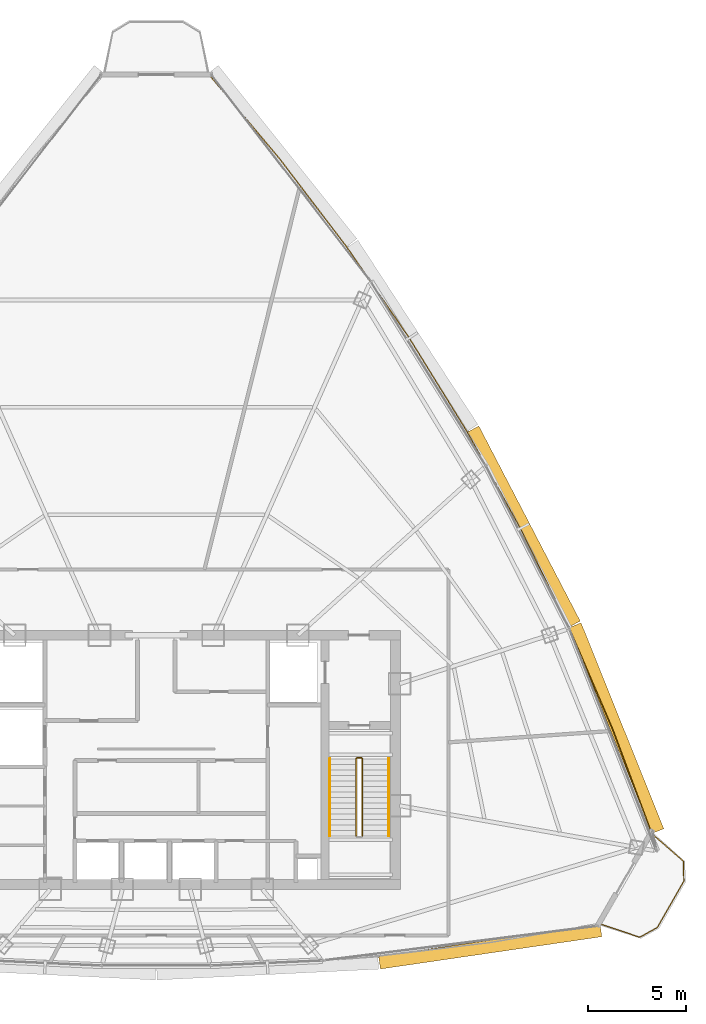
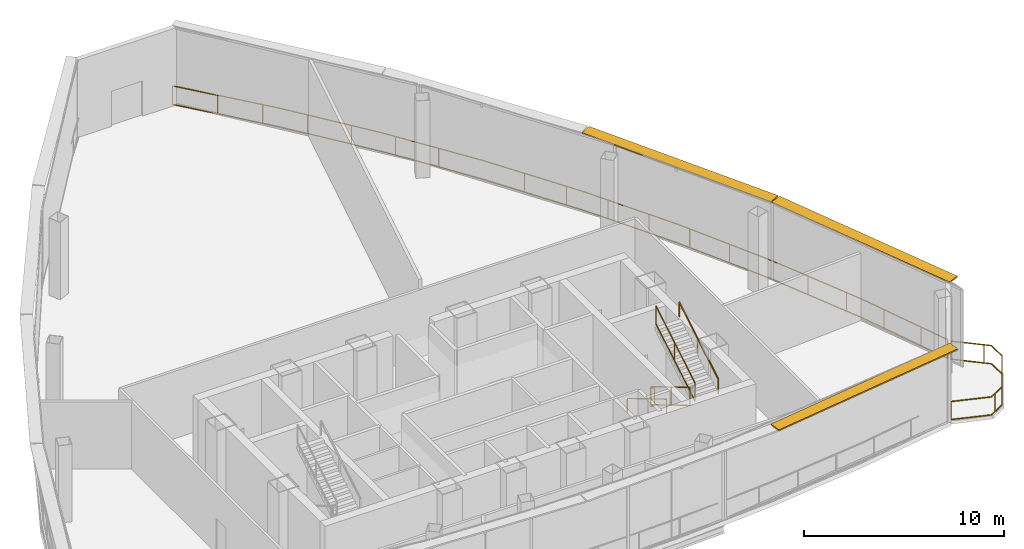
# One storey, part 28 of 29: 7 railings, 3 shading devices.
"""IFC4 building model written with IfcOpenShell, lengths in metres."""

from ifc_helpers import new_model, si_unit, direction, frame, origin, origin_2d, place, context, subcontext, project, spatial, rectangle, extrude, source, transform, mapped, material, layer, layer_set, type_object, element, save


model = new_model("IFC4")

# Units and contexts
model_context = context("Model", 3, precision=1e-05, world=origin(), true_north=direction((0.0, 1.0)))
body_context = subcontext(model_context, "Body", "Model", "MODEL_VIEW")
ifc_project = project(units=[si_unit("LENGTHUNIT", "METRE"), si_unit("AREAUNIT", "SQUARE_METRE"), si_unit("VOLUMEUNIT", "CUBIC_METRE"), si_unit("PLANEANGLEUNIT", "RADIAN"), si_unit("MASSUNIT", "GRAM", prefix="KILO"), si_unit("THERMODYNAMICTEMPERATUREUNIT", "KELVIN"), si_unit("POWERUNIT", "WATT")], contexts=[model_context])

# Site, building, storey
site_placement = place(None, origin())
site = spatial("IfcSite", under=ifc_project, at=site_placement, CompositionType="ELEMENT")
building_placement = place(site_placement, origin())
building = spatial("IfcBuilding", under=site, at=building_placement, Name="Yunzhuo Pagoda Commons", CompositionType="ELEMENT")
storey_placement = place(building_placement, frame((0.0, 0.0, 366.760009765625)))
storey = spatial("IfcBuildingStorey", under=building, at=storey_placement, Name="L92", CompositionType="ELEMENT", Elevation=366.760009765625)

# Railings
ifc_material = material(Name="Anodized aluminium 6063-T6", Category="aluminium")
railing_type_1 = type_object("IfcRailingType", Name="GR-ST2 Stair Well Guardrail 1160", PredefinedType="GUARDRAIL", material=ifc_material)
railing_1_placement = place(storey_placement, frame((58.199951171875, 33.89990234375, 0.166748046875)))
element("IfcRailing", 1, at=railing_1_placement, inside=storey, type_object=railing_type_1, Name="L92 ST2 stair guard 1", PredefinedType="GUARDRAIL", context=body_context, shape_type="SweptSolid", body=[
    extrude(rectangle(XDim=0.048095703125, YDim=0.048095703125, at=origin_2d()), frame((0.0, 0.0, 1.1259765625), z_axis=(0.0, -0.859296244711, 0.511478214419), x_axis=(1.0, 0.0, 0.0)), (0.0, 0.0, 1.0), 4.561767578125),
    extrude(rectangle(XDim=0.048095703125, YDim=0.048095703125, at=origin_2d()), frame((0.0, 0.0, 0.02392578125), z_axis=(0.0, -0.859296244711, 0.511478214419), x_axis=(1.0, 0.0, 0.0)), (0.0, 0.0, 1.0), 4.561767578125),
    extrude(rectangle(XDim=0.0419921875, YDim=0.0419921875, at=origin_2d()), origin(), (0.0, 0.0, 1.0), 1.101806640625),
    extrude(rectangle(XDim=0.0419921875, YDim=0.0419921875, at=origin_2d()), frame((0.0, -2.062255859375, 1.2275390625)), (0.0, 0.0, 1.0), 1.101806640625),
    extrude(rectangle(XDim=0.0419921875, YDim=0.0419921875, at=origin_2d()), frame((0.0, -3.919921875, 2.333251953125)), (0.0, 0.0, 1.0), 1.101806640625),
])
railing_2_placement = place(storey_placement, frame((58.5, 29.97998046875, 2.666748046875)))
element("IfcRailing", 2, at=railing_2_placement, inside=storey, type_object=railing_type_1, Name="L92 ST2 stair guard 3", PredefinedType="GUARDRAIL", context=body_context, shape_type="SweptSolid", body=[
    extrude(rectangle(XDim=0.048095703125, YDim=0.048095703125, at=origin_2d()), frame((0.0, 0.0, 1.1259765625), z_axis=(0.0, 0.859296244711, 0.511478214419), x_axis=(-1.0, 0.0, 0.0)), (0.0, 0.0, 1.0), 4.561767578125),
    extrude(rectangle(XDim=0.048095703125, YDim=0.048095703125, at=origin_2d()), frame((0.0, 0.0, 0.02392578125), z_axis=(0.0, 0.859296244711, 0.511478214419), x_axis=(-1.0, 0.0, 0.0)), (0.0, 0.0, 1.0), 4.561767578125),
    extrude(rectangle(XDim=0.0419921875, YDim=0.0419921875, at=origin_2d()), origin(), (0.0, 0.0, 1.0), 1.101806640625),
    extrude(rectangle(XDim=0.0419921875, YDim=0.0419921875, at=origin_2d()), frame((0.0, 2.062255859375, 1.2275390625)), (0.0, 0.0, 1.0), 1.101806640625),
    extrude(rectangle(XDim=0.0419921875, YDim=0.0419921875, at=origin_2d()), frame((0.0, 3.919921875, 2.333251953125)), (0.0, 0.0, 1.0), 1.101806640625),
])
railing_3_placement = place(storey_placement, frame((58.25, 33.949951171875, 0.0)))
element("IfcRailing", 3, at=railing_3_placement, inside=storey, type_object=railing_type_1, Name="L92 ST2 stair guard 4", PredefinedType="GUARDRAIL", context=body_context, shape_type="SweptSolid", body=[
    extrude(rectangle(XDim=0.048095703125, YDim=0.048095703125, at=origin_2d()), frame((0.0, 0.0, 1.1259765625), z_axis=(1.0, 0.0, 0.0), x_axis=(0.0, 1.0, 0.0)), (0.0, 0.0, 1.0), 0.199951171875),
    extrude(rectangle(XDim=0.048095703125, YDim=0.048095703125, at=origin_2d()), frame((0.0, 0.0, 0.02392578125), z_axis=(1.0, 0.0, 0.0), x_axis=(0.0, 1.0, 0.0)), (0.0, 0.0, 1.0), 0.199951171875),
    extrude(rectangle(XDim=0.0419921875, YDim=0.0419921875, at=origin_2d()), origin(), (0.0, 0.0, 1.0), 1.101806640625),
    extrude(rectangle(XDim=0.0419921875, YDim=0.0419921875, at=origin_2d()), frame((0.199951171875, 0.0, 0.0)), (0.0, 0.0, 1.0), 1.101806640625),
])
railing_type_2 = type_object("IfcRailingType", Name="HR-ST2 Stair Handrail 900", PredefinedType="HANDRAIL", material=ifc_material)
railing_4_placement = place(storey_placement, frame((56.85009765625, 33.89990234375, 0.166748046875)))
element("IfcRailing", 4, at=railing_4_placement, inside=storey, type_object=railing_type_2, Name="L92 ST2 stair handrail 1", PredefinedType="HANDRAIL", context=body_context, shape_type="SweptSolid", body=[
    extrude(rectangle(XDim=0.048095703125, YDim=0.048095703125, at=origin_2d()), frame((0.0, 0.0, 0.8759765625), z_axis=(0.0, -0.859296244711, 0.511478214419), x_axis=(1.0, 0.0, 0.0)), (0.0, 0.0, 1.0), 4.561767578125),
    extrude(rectangle(XDim=0.0419921875, YDim=0.0419921875, at=origin_2d()), origin(), (0.0, 0.0, 1.0), 0.851806640625),
    extrude(rectangle(XDim=0.0419921875, YDim=0.0419921875, at=origin_2d()), frame((0.0, -2.062255859375, 1.2275390625)), (0.0, 0.0, 1.0), 0.851806640625),
    extrude(rectangle(XDim=0.0419921875, YDim=0.0419921875, at=origin_2d()), frame((0.0, -3.919921875, 2.333251953125)), (0.0, 0.0, 1.0), 0.851806640625),
])
railing_5_placement = place(storey_placement, frame((59.85009765625, 29.97998046875, 2.666748046875)))
element("IfcRailing", 5, at=railing_5_placement, inside=storey, type_object=railing_type_2, Name="L92 ST2 stair handrail 2", PredefinedType="HANDRAIL", context=body_context, shape_type="SweptSolid", body=[
    extrude(rectangle(XDim=0.048095703125, YDim=0.048095703125, at=origin_2d()), frame((0.0, 0.0, 0.8759765625), z_axis=(0.0, 0.859296244711, 0.511478214419), x_axis=(-1.0, 0.0, 0.0)), (0.0, 0.0, 1.0), 4.561767578125),
    extrude(rectangle(XDim=0.0419921875, YDim=0.0419921875, at=origin_2d()), origin(), (0.0, 0.0, 1.0), 0.851806640625),
    extrude(rectangle(XDim=0.0419921875, YDim=0.0419921875, at=origin_2d()), frame((0.0, 2.062255859375, 1.2275390625)), (0.0, 0.0, 1.0), 0.851806640625),
    extrude(rectangle(XDim=0.0419921875, YDim=0.0419921875, at=origin_2d()), frame((0.0, 3.919921875, 2.333251953125)), (0.0, 0.0, 1.0), 0.851806640625),
])
railing_type_3 = type_object("IfcRailingType", Name="RL-BAL1 Exterior Terrace & Balcony Balustrade 1150", PredefinedType="BALUSTRADE", material=ifc_material)
railing_6_placement = place(storey_placement, frame((70.68603515625, 25.46728515625, 0.0)))
element("IfcRailing", 6, at=railing_6_placement, inside=storey, type_object=railing_type_3, Name="L92 corner balcony balustrade V2", PredefinedType="BALUSTRADE", context=body_context, shape_type="SweptSolid", body=[
    extrude(rectangle(XDim=0.048095703125, YDim=0.048095703125, at=origin_2d()), frame((0.0, 0.0, 1.1259765625), z_axis=(0.947419062147, -0.319995501031, 0.0), x_axis=(0.319995501031, 0.947419062147, 0.0)), (0.0, 0.0, 1.0), 2.05908203125),
    extrude(rectangle(XDim=0.048095703125, YDim=0.048095703125, at=origin_2d()), frame((0.0, 0.0, 0.02392578125), z_axis=(0.947419062147, -0.319995501031, 0.0), x_axis=(0.319995501031, 0.947419062147, 0.0)), (0.0, 0.0, 1.0), 2.05908203125),
    extrude(rectangle(XDim=0.048095703125, YDim=0.048095703125, at=origin_2d()), frame((1.950927734375, -0.658935546875, 1.1259765625), z_axis=(0.874415431357, 0.485177960551, 0.0), x_axis=(-0.485177960551, 0.874415431357, 0.0)), (0.0, 0.0, 1.0), 1.025634765625),
    extrude(rectangle(XDim=0.048095703125, YDim=0.048095703125, at=origin_2d()), frame((1.950927734375, -0.658935546875, 0.02392578125), z_axis=(0.874415431357, 0.485177960551, 0.0), x_axis=(-0.485177960551, 0.874415431357, 0.0)), (0.0, 0.0, 1.0), 1.025634765625),
    extrude(rectangle(XDim=0.048095703125, YDim=0.048095703125, at=origin_2d()), frame((2.84765625, -0.161376953125, 1.1259765625), z_axis=(0.49795765494, 0.867201345644, 0.0), x_axis=(-0.867201345644, 0.49795765494, 0.0)), (0.0, 0.0, 1.0), 2.716064453125),
    extrude(rectangle(XDim=0.048095703125, YDim=0.048095703125, at=origin_2d()), frame((2.84765625, -0.161376953125, 0.02392578125), z_axis=(0.49795765494, 0.867201345644, 0.0), x_axis=(-0.867201345644, 0.49795765494, 0.0)), (0.0, 0.0, 1.0), 2.716064453125),
    extrude(rectangle(XDim=0.048095703125, YDim=0.048095703125, at=origin_2d()), frame((4.2001953125, 2.194091796875, 1.1259765625), z_axis=(-0.021661582808, 0.999765360387, 0.0), x_axis=(-0.999765360387, -0.021661582808, 0.0)), (0.0, 0.0, 1.0), 1.025634765625),
    extrude(rectangle(XDim=0.048095703125, YDim=0.048095703125, at=origin_2d()), frame((4.2001953125, 2.194091796875, 0.02392578125), z_axis=(-0.021661582808, 0.999765360387, 0.0), x_axis=(-0.999765360387, -0.021661582808, 0.0)), (0.0, 0.0, 1.0), 1.025634765625),
    extrude(rectangle(XDim=0.048095703125, YDim=0.048095703125, at=origin_2d()), frame((4.177978515625, 3.219482421875, 1.1259765625), z_axis=(-0.753984993137, 0.656891642605, 0.0), x_axis=(-0.656891642605, -0.753984993137, 0.0)), (0.0, 0.0, 1.0), 2.059326171875),
    extrude(rectangle(XDim=0.048095703125, YDim=0.048095703125, at=origin_2d()), frame((4.177978515625, 3.219482421875, 0.02392578125), z_axis=(-0.753984993137, 0.656891642605, 0.0), x_axis=(-0.656891642605, -0.753984993137, 0.0)), (0.0, 0.0, 1.0), 2.059326171875),
    extrude(rectangle(XDim=0.0419921875, YDim=0.0419921875, at=origin_2d()), origin(), (0.0, 0.0, 1.0), 1.101806640625),
    extrude(rectangle(XDim=0.0419921875, YDim=0.0419921875, at=origin_2d()), frame((2.2490234375, -0.49365234375, 0.0)), (0.0, 0.0, 1.0), 1.101806640625),
    extrude(rectangle(XDim=0.0419921875, YDim=0.0419921875, at=origin_2d()), frame((3.701904296875, 1.326171875, 0.0)), (0.0, 0.0, 1.0), 1.101806640625),
    extrude(rectangle(XDim=0.0419921875, YDim=0.0419921875, at=origin_2d()), frame((3.896484375, 3.46484375, 0.0)), (0.0, 0.0, 1.0), 1.101806640625),
    extrude(rectangle(XDim=0.0419921875, YDim=0.0419921875, at=origin_2d()), frame((2.625244140625, 4.572265625, 0.0)), (0.0, 0.0, 1.0), 1.101806640625),
])
railing_type_4 = type_object("IfcRailingType", Name="RL-SIL1 Curtain-Wall Sill Safety Guardrail 1180", PredefinedType="GUARDRAIL", material=ifc_material)
railing_7_placement = place(storey_placement, frame((50.704833984375, 68.748779296875, 0.0)))
element("IfcRailing", 7, at=railing_7_placement, inside=storey, type_object=railing_type_4, Name="L92 curtain-wall sill safety rail 3", PredefinedType="GUARDRAIL", context=body_context, shape_type="SweptSolid", body=[
    extrude(rectangle(XDim=0.048095703125, YDim=0.048095703125, at=origin_2d()), frame((0.0, 0.0, 1.15576171875), z_axis=(0.643026748082, -0.765843718555, 0.0), x_axis=(0.765843718555, 0.643026748082, 0.0)), (0.0, 0.0, 1.0), 5.575927734375),
    extrude(rectangle(XDim=0.048095703125, YDim=0.048095703125, at=origin_2d()), frame((0.0, 0.0, 0.02392578125), z_axis=(0.643026748082, -0.765843718555, 0.0), x_axis=(0.765843718555, 0.643026748082, 0.0)), (0.0, 0.0, 1.0), 5.575927734375),
    extrude(rectangle(XDim=0.048095703125, YDim=0.048095703125, at=origin_2d()), frame((3.58544921875, -4.270263671875, 1.15576171875), z_axis=(0.605500424009, -0.795844982723, 0.0), x_axis=(0.795844982723, 0.605500424009, 0.0)), (0.0, 0.0, 1.0), 5.652587890625),
    extrude(rectangle(XDim=0.048095703125, YDim=0.048095703125, at=origin_2d()), frame((3.58544921875, -4.270263671875, 0.02392578125), z_axis=(0.605500424009, -0.795844982723, 0.0), x_axis=(0.795844982723, 0.605500424009, 0.0)), (0.0, 0.0, 1.0), 5.652587890625),
    extrude(rectangle(XDim=0.048095703125, YDim=0.048095703125, at=origin_2d()), frame((7.008056640625, -8.768798828125, 1.15576171875), z_axis=(0.566184343599, -0.824278647706, 0.0), x_axis=(0.824278647706, 0.566184343599, 0.0)), (0.0, 0.0, 1.0), 5.62548828125),
    extrude(rectangle(XDim=0.048095703125, YDim=0.048095703125, at=origin_2d()), frame((7.008056640625, -8.768798828125, 0.02392578125), z_axis=(0.566184343599, -0.824278647706, 0.0), x_axis=(0.824278647706, 0.566184343599, 0.0)), (0.0, 0.0, 1.0), 5.62548828125),
    extrude(rectangle(XDim=0.048095703125, YDim=0.048095703125, at=origin_2d()), frame((10.193115234375, -13.40576171875, 1.15576171875), z_axis=(0.52515291418, -0.851007882883, 0.0), x_axis=(0.851007882883, 0.52515291418, 0.0)), (0.0, 0.0, 1.0), 5.61181640625),
    extrude(rectangle(XDim=0.048095703125, YDim=0.048095703125, at=origin_2d()), frame((10.193115234375, -13.40576171875, 0.02392578125), z_axis=(0.52515291418, -0.851007882883, 0.0), x_axis=(0.851007882883, 0.52515291418, 0.0)), (0.0, 0.0, 1.0), 5.61181640625),
    extrude(rectangle(XDim=0.048095703125, YDim=0.048095703125, at=origin_2d()), frame((13.14013671875, -18.181396484375, 1.15576171875), z_axis=(0.482785214166, -0.875738794951, 0.0), x_axis=(0.875738794951, 0.482785214166, 0.0)), (0.0, 0.0, 1.0), 5.612060546875),
    extrude(rectangle(XDim=0.048095703125, YDim=0.048095703125, at=origin_2d()), frame((13.14013671875, -18.181396484375, 0.02392578125), z_axis=(0.482785214166, -0.875738794951, 0.0), x_axis=(0.875738794951, 0.482785214166, 0.0)), (0.0, 0.0, 1.0), 5.612060546875),
    extrude(rectangle(XDim=0.048095703125, YDim=0.048095703125, at=origin_2d()), frame((15.849609375, -23.09619140625, 1.15576171875), z_axis=(0.439384485978, -0.898299100234, 0.0), x_axis=(0.898299100234, 0.439384485978, 0.0)), (0.0, 0.0, 1.0), 5.625244140625),
    extrude(rectangle(XDim=0.048095703125, YDim=0.048095703125, at=origin_2d()), frame((15.849609375, -23.09619140625, 0.02392578125), z_axis=(0.439384485978, -0.898299100234, 0.0), x_axis=(0.898299100234, 0.439384485978, 0.0)), (0.0, 0.0, 1.0), 5.625244140625),
    extrude(rectangle(XDim=0.048095703125, YDim=0.048095703125, at=origin_2d()), frame((18.3212890625, -28.1494140625, 1.15576171875), z_axis=(0.395237697454, -0.91857888203, 0.0), x_axis=(0.91857888203, 0.395237697454, 0.0)), (0.0, 0.0, 1.0), 5.652587890625),
    extrude(rectangle(XDim=0.048095703125, YDim=0.048095703125, at=origin_2d()), frame((18.3212890625, -28.1494140625, 0.02392578125), z_axis=(0.395237697454, -0.91857888203, 0.0), x_axis=(0.91857888203, 0.395237697454, 0.0)), (0.0, 0.0, 1.0), 5.652587890625),
    extrude(rectangle(XDim=0.048095703125, YDim=0.048095703125, at=origin_2d()), frame((20.555419921875, -33.341796875, 1.15576171875), z_axis=(0.350705807611, -0.936485684091, 0.0), x_axis=(0.936485684091, 0.350705807611, 0.0)), (0.0, 0.0, 1.0), 5.573974609375),
    extrude(rectangle(XDim=0.048095703125, YDim=0.048095703125, at=origin_2d()), frame((20.555419921875, -33.341796875, 0.02392578125), z_axis=(0.350705807611, -0.936485684091, 0.0), x_axis=(0.936485684091, 0.350705807611, 0.0)), (0.0, 0.0, 1.0), 5.573974609375),
    extrude(rectangle(XDim=0.0419921875, YDim=0.0419921875, at=origin_2d()), origin(), (0.0, 0.0, 1.0), 1.1318359375),
    extrude(rectangle(XDim=0.0419921875, YDim=0.0419921875, at=origin_2d()), frame((1.543212890625, -1.838134765625, 0.0)), (0.0, 0.0, 1.0), 1.1318359375),
    extrude(rectangle(XDim=0.0419921875, YDim=0.0419921875, at=origin_2d()), frame((3.08642578125, -3.676025390625, 0.0)), (0.0, 0.0, 1.0), 1.1318359375),
    extrude(rectangle(XDim=0.0419921875, YDim=0.0419921875, at=origin_2d()), frame((4.56884765625, -5.562744140625, 0.0)), (0.0, 0.0, 1.0), 1.1318359375),
    extrude(rectangle(XDim=0.0419921875, YDim=0.0419921875, at=origin_2d()), frame((6.02197265625, -7.472900390625, 0.0)), (0.0, 0.0, 1.0), 1.1318359375),
    extrude(rectangle(XDim=0.0419921875, YDim=0.0419921875, at=origin_2d()), frame((7.44482421875, -9.40478515625, 0.0)), (0.0, 0.0, 1.0), 1.1318359375),
    extrude(rectangle(XDim=0.0419921875, YDim=0.0419921875, at=origin_2d()), frame((8.8037109375, -11.383056640625, 0.0)), (0.0, 0.0, 1.0), 1.1318359375),
    extrude(rectangle(XDim=0.0419921875, YDim=0.0419921875, at=origin_2d()), frame((11.42529296875, -15.40234375, 0.0)), (0.0, 0.0, 1.0), 1.1318359375),
    extrude(rectangle(XDim=0.0419921875, YDim=0.0419921875, at=origin_2d()), frame((12.685546875, -17.44482421875, 0.0)), (0.0, 0.0, 1.0), 1.1318359375),
    extrude(rectangle(XDim=0.0419921875, YDim=0.0419921875, at=origin_2d()), frame((13.880859375, -19.525146484375, 0.0)), (0.0, 0.0, 1.0), 1.1318359375),
    extrude(rectangle(XDim=0.0419921875, YDim=0.0419921875, at=origin_2d()), frame((15.03955078125, -21.626953125, 0.0)), (0.0, 0.0, 1.0), 1.1318359375),
    extrude(rectangle(XDim=0.0419921875, YDim=0.0419921875, at=origin_2d()), frame((16.1669921875, -23.744873046875, 0.0)), (0.0, 0.0, 1.0), 1.1318359375),
    extrude(rectangle(XDim=0.0419921875, YDim=0.0419921875, at=origin_2d()), frame((17.221435546875, -25.90087890625, 0.0)), (0.0, 0.0, 1.0), 1.1318359375),
    extrude(rectangle(XDim=0.0419921875, YDim=0.0419921875, at=origin_2d()), frame((19.22900390625, -30.25927734375, 0.0)), (0.0, 0.0, 1.0), 1.1318359375),
    extrude(rectangle(XDim=0.0419921875, YDim=0.0419921875, at=origin_2d()), frame((20.177734375, -32.4638671875, 0.0)), (0.0, 0.0, 1.0), 1.1318359375),
    extrude(rectangle(XDim=0.0419921875, YDim=0.0419921875, at=origin_2d()), frame((21.06201171875, -34.6943359375, 0.0)), (0.0, 0.0, 1.0), 1.1318359375),
    extrude(rectangle(XDim=0.0419921875, YDim=0.0419921875, at=origin_2d()), frame((21.903564453125, -36.94189453125, 0.0)), (0.0, 0.0, 1.0), 1.1318359375),
    extrude(rectangle(XDim=0.0419921875, YDim=0.0419921875, at=origin_2d()), frame((22.51025390625, -38.561767578125, 0.0)), (0.0, 0.0, 1.0), 1.1318359375),
])

# Shading devices
ifc_layer = layer(ifc_material, 0.080078125)
ifc_layer_set = layer_set([ifc_layer], Name="Anodized aluminium 6063-T6")
shading_device_type = type_object("IfcShadingDeviceType", Name="SH-SUN1 Pagoda Horizontal Sunshade Eave 650", PredefinedType="USERDEFINED", material=ifc_layer_set)
shared_shape_1 = source(origin(), body_context, "Body", "SweptSolid", [
    extrude(rectangle(XDim=11.403076171875, YDim=0.64990234375, at=origin_2d()), origin(), (0.0, 0.0, 1.0), 0.080078125),
])
shading_device_1_placement = place(storey_placement, frame((65.019287109375, 24.333984375, 4.639892578125), z_axis=(0.0, 0.0, 1.0), x_axis=(0.989510666697, 0.144459823108, 0.0)))
element("IfcShadingDevice", 8, at=shading_device_1_placement, inside=storey, type_object=shading_device_type, Name="L92 horizontal pagoda sunshade eave F1.4", ObjectType="SUNSHADE", PredefinedType="USERDEFINED", context=body_context, shape_type="MappedRepresentation", body=[
    mapped(shared_shape_1, transform((0.0, 0.0, 0.0), scale=1.0)),
])
shared_shape_2 = source(origin(), body_context, "Body", "SweptSolid", [
    extrude(rectangle(XDim=11.311279296875, YDim=0.64990234375, at=origin_2d()), origin(), (0.0, 0.0, 1.0), 0.080078125),
])
shading_device_2_placement = place(storey_placement, frame((71.456787109375, 35.464599609375, 4.639892578125), z_axis=(0.0, 0.0, 1.0), x_axis=(-0.372987782576, 0.927836253899, 0.0)))
element("IfcShadingDevice", 9, at=shading_device_2_placement, inside=storey, type_object=shading_device_type, Name="L92 horizontal pagoda sunshade eave F2.1", ObjectType="SUNSHADE", PredefinedType="USERDEFINED", context=body_context, shape_type="MappedRepresentation", body=[
    mapped(shared_shape_2, transform((0.0, 0.0, 0.0), scale=1.0)),
])
shared_shape_3 = source(origin(), body_context, "Body", "SweptSolid", [
    extrude(rectangle(XDim=11.203857421875, YDim=0.64990234375, at=origin_2d()), origin(), (0.0, 0.0, 1.0), 0.080078125),
])
shading_device_3_placement = place(storey_placement, frame((66.7373046875, 45.739990234375, 4.639892578125), z_axis=(0.0, 0.0, 1.0), x_axis=(-0.461206683033, 0.88729273384, 0.0)))
element("IfcShadingDevice", 10, at=shading_device_3_placement, inside=storey, type_object=shading_device_type, Name="L92 horizontal pagoda sunshade eave F2.2", ObjectType="SUNSHADE", PredefinedType="USERDEFINED", context=body_context, shape_type="MappedRepresentation", body=[
    mapped(shared_shape_3, transform((0.0, 0.0, 0.0), scale=1.0)),
])

save(model, "model.ifc")
